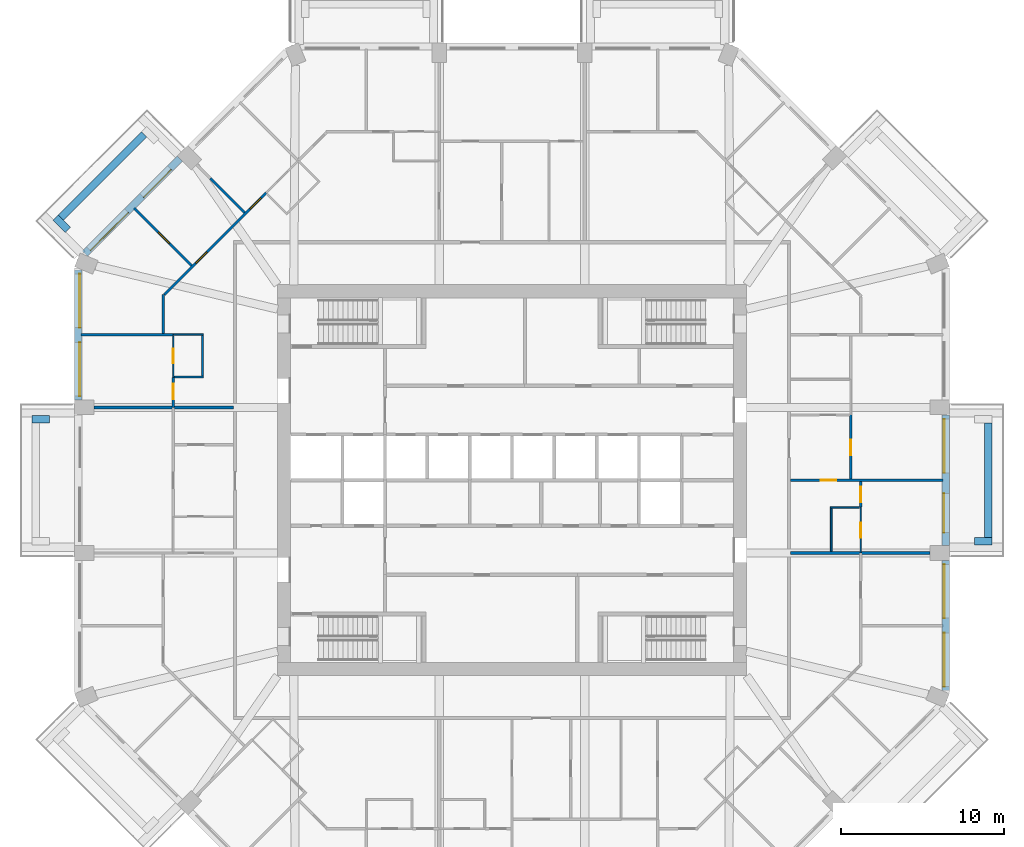
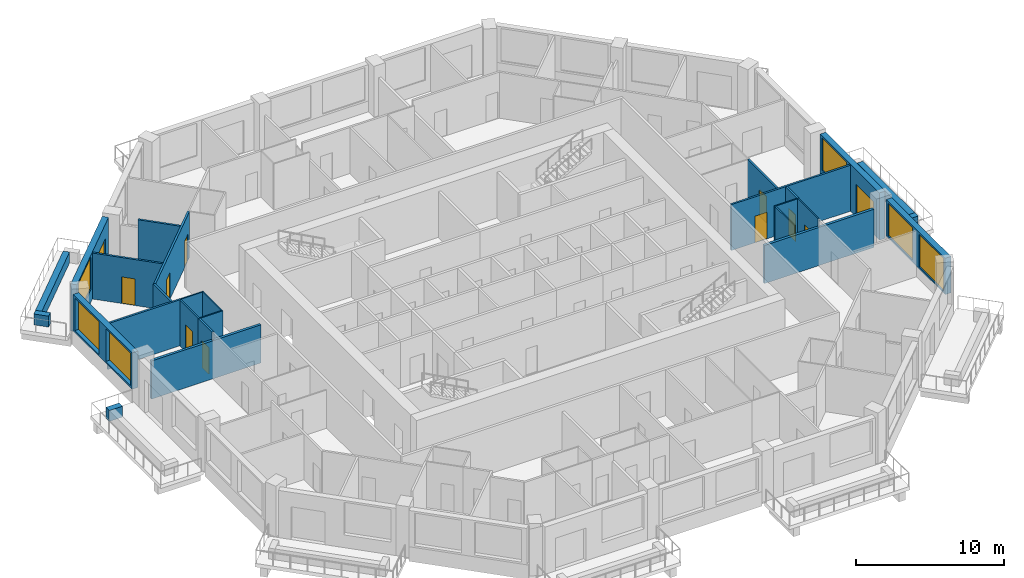
# One storey, part 7 of 13: 27 walls, 11 doors, 6 windows, 17 openings.
"""IFC4 building model written with IfcOpenShell, lengths in metres."""

from ifc_helpers import new_model, si_unit, direction, frame, frame_2d, origin, place, context, subcontext, project, spatial, rectangle, extrude, material, layer, layer_set, type_object, element, fill, save


model = new_model("IFC4")

# Units and contexts
model_context = context("Model", 3, precision=1e-05, world=origin(), true_north=direction((0.0, 1.0)))
body_context = subcontext(model_context, "Body", "Model", "MODEL_VIEW")
ifc_project = project(units=[si_unit("LENGTHUNIT", "METRE"), si_unit("AREAUNIT", "SQUARE_METRE"), si_unit("VOLUMEUNIT", "CUBIC_METRE"), si_unit("PLANEANGLEUNIT", "RADIAN"), si_unit("MASSUNIT", "GRAM", prefix="KILO")], contexts=[model_context])

# Site, building, storey
site_placement = place(None, origin())
site = spatial("IfcSite", under=ifc_project, at=site_placement, CompositionType="ELEMENT")
building_placement = place(site_placement, origin())
building = spatial("IfcBuilding", under=site, at=building_placement, Name="Msitu Wima Residences", CompositionType="ELEMENT")
storey_placement = place(building_placement, frame((0.0, 0.0, 148.5)))
storey = spatial("IfcBuildingStorey", under=building, at=storey_placement, Name="L34", CompositionType="ELEMENT", Elevation=148.5)

# Walls
ifc_material_1 = material(Name="Facing brick")
ifc_layer_1 = layer(ifc_material_1, 0.06494140625, Name="Facing brick")
ifc_material_2 = material(Name="Concrete C40/50", Category="concrete")
ifc_layer_2 = layer(ifc_material_2, 0.156005859375, Name="Concrete C40/50")
ifc_material_3 = material(Name="Waterproofing membrane")
ifc_layer_3 = layer(ifc_material_3, 0.00390625, Name="Waterproofing membrane")
ifc_material_4 = material(Name="Planting soil and planting")
ifc_layer_4 = layer(ifc_material_4, 0.22509765625, Name="Planting soil and planting")
ifc_layer_set_1 = layer_set([ifc_layer_1, ifc_layer_2, ifc_layer_3, ifc_layer_4], Name="Concrete C40/50")
wall_type_1 = type_object("IfcWallType", Name="Balcony planter PLANTER PL450", PredefinedType="USERDEFINED", material=ifc_layer_set_1)
wall_1_placement = place(storey_placement, frame((29.22509765625, -3.5185546875, 0.0), z_axis=(0.0, 0.0, 1.0), x_axis=(0.0, 1.0, 0.0)))
element("IfcWall", 1, at=wall_1_placement, inside=storey, type_object=wall_type_1, Name="Balcony planter E1 L34", ObjectType="PLANTER", PredefinedType="USERDEFINED", context=body_context, shape_type="SweptSolid", body=[
    extrude(rectangle(XDim=7.037109375, YDim=0.449951171875, at=frame_2d((3.5185546875, 0.0))), origin(), (0.0, 0.0, 1.0), 0.89990234375),
])
wall_2_placement = place(storey_placement, frame((28.39990234375, -3.74365234375, 0.0), z_axis=(0.0, 0.0, 1.0), x_axis=(1.0, 0.0, 0.0)))
element("IfcWall", 2, at=wall_2_placement, inside=storey, type_object=wall_type_1, Name="Balcony planter E1 L34", ObjectType="PLANTER", PredefinedType="USERDEFINED", context=body_context, shape_type="SweptSolid", body=[
    extrude(rectangle(XDim=1.050048828125, YDim=0.449951171875, at=frame_2d((0.52490234375, 0.0))), origin(), (0.0, 0.0, 1.0), 0.89990234375),
])
wall_3_placement = place(storey_placement, frame((-22.572265625, 21.228759765625, 0.0), z_axis=(0.0, 0.0, 1.0), x_axis=(-0.707106781187, -0.707106781187, 0.0)))
element("IfcWall", 3, at=wall_3_placement, inside=storey, type_object=wall_type_1, Name="Balcony planter NW1 L34", ObjectType="PLANTER", PredefinedType="USERDEFINED", context=body_context, shape_type="SweptSolid", body=[
    extrude(rectangle(XDim=7.23828125, YDim=0.449951171875, at=frame_2d((3.619140625, 0.0))), origin(), (0.0, 0.0, 1.0), 0.89990234375),
])
for number, where, z_axis, x_axis, name in (
    (4, (-27.26611328125, 15.3681640625, 0.0), (0.0, 0.0, 1.0), (-0.707223014731, 0.706990528533, 0.0), "Balcony planter NW1 L34"),
    (5, (-28.39990234375, 3.74365234375, 0.0), (0.0, 0.0, 1.0), (-1.0, 0.0, 0.0), "Balcony planter W1 L34"),
):
    element("IfcWall", number, at=place(storey_placement, frame(where, z_axis=z_axis, x_axis=x_axis)), inside=storey, type_object=wall_type_1, Name=name, ObjectType="PLANTER", PredefinedType="USERDEFINED", context=body_context, shape_type="SweptSolid", body=[
        extrude(rectangle(XDim=1.050048828125, YDim=0.449951171875, at=frame_2d((0.52490234375, 0.0))), origin(), (0.0, 0.0, 1.0), 0.89990234375),
    ])

# Wall, openings, windows
ifc_material_5 = material(Name="Brick (red buff mix)", Category="masonry")
ifc_layer_5 = layer(ifc_material_5, 0.449951171875)
ifc_layer_set_2 = layer_set([ifc_layer_5], Name="Brick (red buff mix)")
wall_type_2 = type_object("IfcWallType", Name="Brick infill wall BW450", PredefinedType="SOLIDWALL", material=ifc_layer_set_2)
wall_4_placement = place(storey_placement, frame((26.625, -12.918701171875, 0.89990234375), z_axis=(0.0, 0.0, 1.0), x_axis=(0.0, 1.0, 0.0)))
wall_4 = element("IfcWall", 6, at=wall_4_placement, inside=storey, type_object=wall_type_2, Name="Brick infill wall L34 E0", PredefinedType="SOLIDWALL", context=body_context, shape_type="SweptSolid", body=[
    extrude(rectangle(XDim=8.0, YDim=0.449951171875, at=frame_2d((4.0, 0.0))), origin(), (0.0, 0.0, 1.0), 3.0),
])
opening_1_placement = place(wall_4_placement, frame((0.25, 0.0, 0.14990234375)))
opening_1 = element("IfcOpeningElement", 7, at=opening_1_placement, cuts=wall_4, Name="Opening W34-35.001", PredefinedType="OPENING", context=body_context, shape_type="SweptSolid", body=[
    extrude(rectangle(XDim=3.300048828125, YDim=2.699951171875, at=frame_2d((1.64990234375, 1.35009765625))), frame((0.0, 0.23486328125, 0.0), z_axis=(0.0, -1.0, 0.0), x_axis=(1.0, 0.0, 0.0)), (0.0, 0.0, 1.0), 0.469970703125),
])
opening_2_placement = place(wall_4_placement, frame((4.4501953125, 0.0, 0.14990234375)))
opening_2 = element("IfcOpeningElement", 8, at=opening_2_placement, cuts=wall_4, Name="Opening W34-35.002", PredefinedType="OPENING", context=body_context, shape_type="SweptSolid", body=[
    extrude(rectangle(XDim=3.300048828125, YDim=2.699951171875, at=frame_2d((1.64990234375, 1.35009765625))), frame((0.0, 0.23486328125, 0.0), z_axis=(0.0, -1.0, 0.0), x_axis=(1.0, 0.0, 0.0)), (0.0, 0.0, 1.0), 0.469970703125),
])
ifc_material_6 = material(Name="Anodised aluminium, bronze finish, clear low-emissivity double glazing", Category="aluminium")
window_type = type_object("IfcWindowType", Name="Window W3300x2700", PartitioningType="DOUBLE_PANEL_VERTICAL", PredefinedType="WINDOW", material=ifc_material_6)
window_1_placement = place(opening_1_placement, origin())
window_1 = element("IfcWindow", 9, at=window_1_placement, inside=storey, type_object=window_type, Name="Window L34 E0.1", OverallHeight=2.699951171875, OverallWidth=3.300048828125, PartitioningType="SINGLE_PANEL", PredefinedType="WINDOW", context=body_context, shape_type="SweptSolid", body=[
    extrude(rectangle(XDim=3.300048828125, YDim=2.699951171875, at=frame_2d((1.64990234375, 1.35009765625))), frame((0.0, 0.135009765625, 0.0), z_axis=(0.0, -1.0, 0.0), x_axis=(1.0, 0.0, 0.0)), (0.0, 0.0, 1.0), 0.06005859375),
])
fill(opening_1, window_1)
window_2_placement = place(opening_2_placement, origin())
window_2 = element("IfcWindow", 10, at=window_2_placement, inside=storey, type_object=window_type, Name="Window L34 E0.2", OverallHeight=2.699951171875, OverallWidth=3.300048828125, PartitioningType="SINGLE_PANEL", PredefinedType="WINDOW", context=body_context, shape_type="SweptSolid", body=[
    extrude(rectangle(XDim=3.300048828125, YDim=2.699951171875, at=frame_2d((1.64990234375, 1.35009765625))), frame((0.0, 0.135009765625, 0.0), z_axis=(0.0, -1.0, 0.0), x_axis=(1.0, 0.0, 0.0)), (0.0, 0.0, 1.0), 0.06005859375),
])
fill(opening_2, window_2)

# Wall, openings, door, window
wall_5_placement = place(storey_placement, frame((26.625, -4.0185546875, 0.0), z_axis=(0.0, 0.0, 1.0), x_axis=(0.0, 1.0, 0.0)))
wall_5 = element("IfcWall", 11, at=wall_5_placement, inside=storey, type_object=wall_type_2, Name="Brick infill wall L34 E1", PredefinedType="SOLIDWALL", context=body_context, shape_type="SweptSolid", body=[
    extrude(rectangle(XDim=8.037109375, YDim=0.449951171875, at=frame_2d((4.0185546875, 0.0))), origin(), (0.0, 0.0, 1.0), 3.89990234375),
])
opening_3_placement = place(wall_5_placement, frame((0.809326171875, 0.0, 0.0)))
opening_3 = element("IfcOpeningElement", 12, at=opening_3_placement, cuts=wall_5, Name="Opening D34-35.001", PredefinedType="OPENING", context=body_context, shape_type="SweptSolid", body=[
    extrude(rectangle(XDim=2.39990234375, YDim=2.699951171875, at=frame_2d((1.199951171875, 1.35009765625))), frame((0.0, 0.23486328125, 0.0), z_axis=(0.0, -1.0, 0.0), x_axis=(1.0, 0.0, 0.0)), (0.0, 0.0, 1.0), 0.469970703125),
])
opening_4_placement = place(wall_5_placement, frame((4.46875, 0.0, 1.050048828125)))
opening_4 = element("IfcOpeningElement", 13, at=opening_4_placement, cuts=wall_5, Name="Opening W34-35.003", PredefinedType="OPENING", context=body_context, shape_type="SweptSolid", body=[
    extrude(rectangle(XDim=3.300048828125, YDim=2.699951171875, at=frame_2d((1.64990234375, 1.35009765625))), frame((0.0, 0.23486328125, 0.0), z_axis=(0.0, -1.0, 0.0), x_axis=(1.0, 0.0, 0.0)), (0.0, 0.0, 1.0), 0.469970703125),
])
door_type_1 = type_object("IfcDoorType", Name="Balcony door D2400x2700", OperationType="SLIDING_TO_LEFT", PredefinedType="DOOR", material=ifc_material_6)
door_1_placement = place(opening_3_placement, origin())
door_1 = element("IfcDoor", 14, at=door_1_placement, inside=storey, type_object=door_type_1, Name="Balcony door L34 E1", OperationType="SINGLE_SWING_LEFT", OverallHeight=2.699951171875, OverallWidth=2.39990234375, PredefinedType="DOOR", context=body_context, shape_type="SweptSolid", body=[
    extrude(rectangle(XDim=2.39990234375, YDim=2.699951171875, at=frame_2d((1.199951171875, 1.35009765625))), frame((0.0, 0.1298828125, 0.0), z_axis=(0.0, -1.0, 0.0), x_axis=(1.0, 0.0, 0.0)), (0.0, 0.0, 1.0), 0.050048828125),
])
fill(opening_3, door_1)
window_3_placement = place(opening_4_placement, origin())
window_3 = element("IfcWindow", 15, at=window_3_placement, inside=storey, type_object=window_type, Name="Window L34 E1.2", OverallHeight=2.699951171875, OverallWidth=3.300048828125, PartitioningType="SINGLE_PANEL", PredefinedType="WINDOW", context=body_context, shape_type="SweptSolid", body=[
    extrude(rectangle(XDim=3.300048828125, YDim=2.699951171875, at=frame_2d((1.64990234375, 1.35009765625))), frame((0.0, 0.135009765625, 0.0), z_axis=(0.0, -1.0, 0.0), x_axis=(1.0, 0.0, 0.0)), (0.0, 0.0, 1.0), 0.06005859375),
])
fill(opening_4, window_3)

wall_6_placement = place(storey_placement, frame((-20.380126953125, 19.743896484375, 0.0), z_axis=(0.0, 0.0, 1.0), x_axis=(-0.707106781187, -0.707106781187, 0.0)))
wall_6 = element("IfcWall", 16, at=wall_6_placement, inside=storey, type_object=wall_type_2, Name="Brick infill wall L34 NW1", PredefinedType="SOLIDWALL", context=body_context, shape_type="SweptSolid", body=[
    extrude(rectangle(XDim=8.251220703125, YDim=0.449951171875, at=frame_2d((4.12548828125, 0.0))), origin(), (0.0, 0.0, 1.0), 3.89990234375),
])
opening_5_placement = place(wall_6_placement, frame((0.86279296875, 0.0, 0.0)))
opening_5 = element("IfcOpeningElement", 17, at=opening_5_placement, cuts=wall_6, Name="Opening D34-35.005", PredefinedType="OPENING", context=body_context, shape_type="SweptSolid", body=[
    extrude(rectangle(XDim=2.39990234375, YDim=2.699951171875, at=frame_2d((1.199951171875, 1.35009765625))), frame((0.0, 0.23486328125, 0.0), z_axis=(0.0, -1.0, 0.0), x_axis=(1.0, 0.0, 0.0)), (0.0, 0.0, 1.0), 0.469970703125),
])
opening_6_placement = place(wall_6_placement, frame((4.57568359375, 0.0, 1.050048828125)))
opening_6 = element("IfcOpeningElement", 18, at=opening_6_placement, cuts=wall_6, Name="Opening W34-35.015", PredefinedType="OPENING", context=body_context, shape_type="SweptSolid", body=[
    extrude(rectangle(XDim=3.300048828125, YDim=2.699951171875, at=frame_2d((1.64990234375, 1.35009765625))), frame((0.0, 0.23486328125, 0.0), z_axis=(0.0, -1.0, 0.0), x_axis=(1.0, 0.0, 0.0)), (0.0, 0.0, 1.0), 0.469970703125),
])
door_2_placement = place(opening_5_placement, origin())
door_2 = element("IfcDoor", 19, at=door_2_placement, inside=storey, type_object=door_type_1, Name="Balcony door L34 NW1", OperationType="SINGLE_SWING_LEFT", OverallHeight=2.699951171875, OverallWidth=2.39990234375, PredefinedType="DOOR", context=body_context, shape_type="SweptSolid", body=[
    extrude(rectangle(XDim=2.39990234375, YDim=2.699951171875, at=frame_2d((1.199951171875, 1.35009765625))), frame((0.0, 0.1298828125, 0.0), z_axis=(0.0, -1.0, 0.0), x_axis=(1.0, 0.0, 0.0)), (0.0, 0.0, 1.0), 0.050048828125),
])
fill(opening_5, door_2)
window_4_placement = place(opening_6_placement, origin())
window_4 = element("IfcWindow", 20, at=window_4_placement, inside=storey, type_object=window_type, Name="Window L34 NW1.2", OverallHeight=2.699951171875, OverallWidth=3.300048828125, PartitioningType="SINGLE_PANEL", PredefinedType="WINDOW", context=body_context, shape_type="SweptSolid", body=[
    extrude(rectangle(XDim=3.300048828125, YDim=2.699951171875, at=frame_2d((1.64990234375, 1.35009765625))), frame((0.0, 0.135009765625, 0.0), z_axis=(0.0, -1.0, 0.0), x_axis=(1.0, 0.0, 0.0)), (0.0, 0.0, 1.0), 0.06005859375),
])
fill(opening_6, window_4)

# Wall, openings, windows
wall_7_placement = place(storey_placement, frame((-26.625, 12.918701171875, 0.89990234375), z_axis=(0.0, 0.0, 1.0), x_axis=(0.0, -1.0, 0.0)))
wall_7 = element("IfcWall", 21, at=wall_7_placement, inside=storey, type_object=wall_type_2, Name="Brick infill wall L34 W0", PredefinedType="SOLIDWALL", context=body_context, shape_type="SweptSolid", body=[
    extrude(rectangle(XDim=8.0, YDim=0.449951171875, at=frame_2d((4.0, 0.0))), origin(), (0.0, 0.0, 1.0), 3.0),
])
opening_7_placement = place(wall_7_placement, frame((0.25, 0.0, 0.14990234375)))
opening_7 = element("IfcOpeningElement", 22, at=opening_7_placement, cuts=wall_7, Name="Opening W34-35.026", PredefinedType="OPENING", context=body_context, shape_type="SweptSolid", body=[
    extrude(rectangle(XDim=3.300048828125, YDim=2.699951171875, at=frame_2d((1.64990234375, 1.35009765625))), frame((0.0, 0.23486328125, 0.0), z_axis=(0.0, -1.0, 0.0), x_axis=(1.0, 0.0, 0.0)), (0.0, 0.0, 1.0), 0.469970703125),
])
opening_8_placement = place(wall_7_placement, frame((4.4501953125, 0.0, 0.14990234375)))
opening_8 = element("IfcOpeningElement", 23, at=opening_8_placement, cuts=wall_7, Name="Opening W34-35.027", PredefinedType="OPENING", context=body_context, shape_type="SweptSolid", body=[
    extrude(rectangle(XDim=3.300048828125, YDim=2.699951171875, at=frame_2d((1.64990234375, 1.35009765625))), frame((0.0, 0.23486328125, 0.0), z_axis=(0.0, -1.0, 0.0), x_axis=(1.0, 0.0, 0.0)), (0.0, 0.0, 1.0), 0.469970703125),
])
window_5_placement = place(opening_7_placement, origin())
window_5 = element("IfcWindow", 24, at=window_5_placement, inside=storey, type_object=window_type, Name="Window L34 W0.1", OverallHeight=2.699951171875, OverallWidth=3.300048828125, PartitioningType="SINGLE_PANEL", PredefinedType="WINDOW", context=body_context, shape_type="SweptSolid", body=[
    extrude(rectangle(XDim=3.300048828125, YDim=2.699951171875, at=frame_2d((1.64990234375, 1.35009765625))), frame((0.0, 0.135009765625, 0.0), z_axis=(0.0, -1.0, 0.0), x_axis=(1.0, 0.0, 0.0)), (0.0, 0.0, 1.0), 0.06005859375),
])
fill(opening_7, window_5)
window_6_placement = place(opening_8_placement, origin())
window_6 = element("IfcWindow", 25, at=window_6_placement, inside=storey, type_object=window_type, Name="Window L34 W0.2", OverallHeight=2.699951171875, OverallWidth=3.300048828125, PartitioningType="SINGLE_PANEL", PredefinedType="WINDOW", context=body_context, shape_type="SweptSolid", body=[
    extrude(rectangle(XDim=3.300048828125, YDim=2.699951171875, at=frame_2d((1.64990234375, 1.35009765625))), frame((0.0, 0.135009765625, 0.0), z_axis=(0.0, -1.0, 0.0), x_axis=(1.0, 0.0, 0.0)), (0.0, 0.0, 1.0), 0.06005859375),
])
fill(opening_8, window_6)

# Wall
ifc_material_7 = material(Name="Plaster")
ifc_layer_6 = layer(ifc_material_7, 0.011962890625, Name="Plaster")
ifc_material_8 = material(Name="Concrete blockwork", Category="masonry")
ifc_layer_7 = layer(ifc_material_8, 0.1259765625, Name="Concrete blockwork")
ifc_layer_8 = layer(ifc_material_7, 0.011962890625, Name="Plaster")
ifc_layer_set_3 = layer_set([ifc_layer_6, ifc_layer_7, ifc_layer_8], Name="Concrete blockwork")
wall_type_3 = type_object("IfcWallType", Name="Partition PW150", PredefinedType="PARTITIONING", material=ifc_layer_set_3)
wall_8_placement = place(storey_placement, frame((-26.455078125, 8.937255859375, 0.0), z_axis=(0.0, 0.0, 1.0), x_axis=(1.0, 0.0, 0.0)))
element("IfcWall", 26, at=wall_8_placement, inside=storey, type_object=wall_type_3, Name="Partition", PredefinedType="PARTITIONING", context=body_context, shape_type="SweptSolid", body=[
    extrude(rectangle(XDim=5.675048828125, YDim=0.14990234375, at=frame_2d((2.83740234375, 0.0))), origin(), (0.0, 0.0, 1.0), 3.798095703125),
])

# Wall, opening, door
wall_9_placement = place(storey_placement, frame((-23.1904296875, 16.693359375, 0.0), z_axis=(0.0, 0.0, 1.0), x_axis=(0.707106781187, -0.707106781187, 0.0)))
wall_9 = element("IfcWall", 27, at=wall_9_placement, inside=storey, type_object=wall_type_3, Name="Partition", PredefinedType="PARTITIONING", context=body_context, shape_type="SweptSolid", body=[
    extrude(rectangle(XDim=4.980224609375, YDim=0.14990234375, at=frame_2d((2.490234375, 0.0))), origin(), (0.0, 0.0, 1.0), 3.798095703125),
])
opening_9_placement = place(wall_9_placement, frame((2.10009765625, 0.0, 0.0)))
opening_9 = element("IfcOpeningElement", 28, at=opening_9_placement, cuts=wall_9, Name="Opening D34-35.055", PredefinedType="OPENING", context=body_context, shape_type="SweptSolid", body=[
    extrude(rectangle(XDim=0.949951171875, YDim=2.199951171875, at=frame_2d((0.47509765625, 1.10009765625))), frame((0.0, 0.0849609375, 0.0), z_axis=(0.0, -1.0, 0.0), x_axis=(1.0, 0.0, 0.0)), (0.0, 0.0, 1.0), 0.169921875),
])
ifc_material_9 = material(Name="Timber flush door", Category="wood")
door_type_2 = type_object("IfcDoorType", Name="Room door D12 950x2200", OperationType="SINGLE_SWING_LEFT", PredefinedType="DOOR", material=ifc_material_9)
door_3_placement = place(opening_9_placement, origin())
door_3 = element("IfcDoor", 29, at=door_3_placement, inside=storey, type_object=door_type_2, Name="Room door", OperationType="SINGLE_SWING_LEFT", OverallHeight=2.199951171875, OverallWidth=0.949951171875, PredefinedType="DOOR", context=body_context, shape_type="SweptSolid", body=[
    extrude(rectangle(XDim=0.949951171875, YDim=2.199951171875, at=frame_2d((0.47509765625, 1.10009765625))), frame((0.0, 0.02490234375, 0.0), z_axis=(0.0, -1.0, 0.0), x_axis=(1.0, 0.0, 0.0)), (0.0, 0.0, 1.0), 0.050048828125),
])
fill(opening_9, door_3)

# Wall
wall_10_placement = place(storey_placement, frame((-21.39990234375, 9.01220703125, 0.0), z_axis=(0.0, 0.0, 1.0), x_axis=(0.0, 1.0, 0.0)))
element("IfcWall", 30, at=wall_10_placement, inside=storey, type_object=wall_type_3, Name="Partition", PredefinedType="PARTITIONING", context=body_context, shape_type="SweptSolid", body=[
    extrude(rectangle(XDim=2.397705078125, YDim=0.14990234375, at=frame_2d((1.19873046875, 0.0))), origin(), (0.0, 0.0, 1.0), 3.798095703125),
])

# Wall, openings, doors
wall_11_placement = place(storey_placement, frame((-21.346923828125, 11.387939453125, 0.0), z_axis=(0.0, 0.0, 1.0), x_axis=(0.707106781187, 0.707106781187, 0.0)))
wall_11 = element("IfcWall", 31, at=wall_11_placement, inside=storey, type_object=wall_type_3, Name="Partition", PredefinedType="PARTITIONING", context=body_context, shape_type="SweptSolid", body=[
    extrude(rectangle(XDim=8.836181640625, YDim=0.14990234375, at=frame_2d((4.41796875, 0.0))), origin(), (0.0, 0.0, 1.0), 3.798095703125),
])
opening_10_placement = place(wall_11_placement, frame((2.75, 0.0, 0.0)))
opening_10 = element("IfcOpeningElement", 32, at=opening_10_placement, cuts=wall_11, Name="Opening D34-35.045", PredefinedType="OPENING", context=body_context, shape_type="SweptSolid", body=[
    extrude(rectangle(XDim=0.949951171875, YDim=2.199951171875, at=frame_2d((0.47509765625, 1.10009765625))), frame((0.0, 0.0849609375, 0.0), z_axis=(0.0, -1.0, 0.0), x_axis=(1.0, 0.0, 0.0)), (0.0, 0.0, 1.0), 0.169921875),
])
opening_11_placement = place(wall_11_placement, frame((7.449951171875, 0.0, 0.0)))
opening_11 = element("IfcOpeningElement", 33, at=opening_11_placement, cuts=wall_11, Name="Opening D34-35.047", PredefinedType="OPENING", context=body_context, shape_type="SweptSolid", body=[
    extrude(rectangle(XDim=0.949951171875, YDim=2.199951171875, at=frame_2d((0.47509765625, 1.10009765625))), frame((0.0, 0.0849609375, 0.0), z_axis=(0.0, -1.0, 0.0), x_axis=(1.0, 0.0, 0.0)), (0.0, 0.0, 1.0), 0.169921875),
])
door_4_placement = place(opening_10_placement, origin())
door_4 = element("IfcDoor", 34, at=door_4_placement, inside=storey, type_object=door_type_2, Name="Room door", OperationType="SINGLE_SWING_LEFT", OverallHeight=2.199951171875, OverallWidth=0.949951171875, PredefinedType="DOOR", context=body_context, shape_type="SweptSolid", body=[
    extrude(rectangle(XDim=0.949951171875, YDim=2.199951171875, at=frame_2d((0.47509765625, 1.10009765625))), frame((0.0, 0.02490234375, 0.0), z_axis=(0.0, -1.0, 0.0), x_axis=(1.0, 0.0, 0.0)), (0.0, 0.0, 1.0), 0.050048828125),
])
fill(opening_10, door_4)
door_5_placement = place(opening_11_placement, origin())
door_5 = element("IfcDoor", 35, at=door_5_placement, inside=storey, type_object=door_type_2, Name="Room door", OperationType="SINGLE_SWING_LEFT", OverallHeight=2.199951171875, OverallWidth=0.949951171875, PredefinedType="DOOR", context=body_context, shape_type="SweptSolid", body=[
    extrude(rectangle(XDim=0.949951171875, YDim=2.199951171875, at=frame_2d((0.47509765625, 1.10009765625))), frame((0.0, 0.02490234375, 0.0), z_axis=(0.0, -1.0, 0.0), x_axis=(1.0, 0.0, 0.0)), (0.0, 0.0, 1.0), 0.050048828125),
])
fill(opening_11, door_5)

# Wall, opening, door
wall_12_placement = place(storey_placement, frame((-20.800048828125, 4.46875, 0.0), z_axis=(0.0, 0.0, 1.0), x_axis=(0.0, 1.0, 0.0)))
wall_12 = element("IfcWall", 36, at=wall_12_placement, inside=storey, type_object=wall_type_3, Name="Partition", PredefinedType="PARTITIONING", context=body_context, shape_type="SweptSolid", body=[
    extrude(rectangle(XDim=1.848388671875, YDim=0.14990234375, at=frame_2d((0.92431640625, 0.0))), origin(), (0.0, 0.0, 1.0), 3.798095703125),
])
opening_12_placement = place(wall_12_placement, frame((0.5, 0.0, 0.0)))
opening_12 = element("IfcOpeningElement", 37, at=opening_12_placement, cuts=wall_12, Name="Opening D34-35.053", PredefinedType="OPENING", context=body_context, shape_type="SweptSolid", body=[
    extrude(rectangle(XDim=0.949951171875, YDim=2.199951171875, at=frame_2d((0.47509765625, 1.10009765625))), frame((0.0, 0.0849609375, 0.0), z_axis=(0.0, -1.0, 0.0), x_axis=(1.0, 0.0, 0.0)), (0.0, 0.0, 1.0), 0.169921875),
])
door_6_placement = place(opening_12_placement, origin())
door_6 = element("IfcDoor", 38, at=door_6_placement, inside=storey, type_object=door_type_2, Name="Room door", OperationType="SINGLE_SWING_LEFT", OverallHeight=2.199951171875, OverallWidth=0.949951171875, PredefinedType="DOOR", context=body_context, shape_type="SweptSolid", body=[
    extrude(rectangle(XDim=0.949951171875, YDim=2.199951171875, at=frame_2d((0.47509765625, 1.10009765625))), frame((0.0, 0.02490234375, 0.0), z_axis=(0.0, -1.0, 0.0), x_axis=(1.0, 0.0, 0.0)), (0.0, 0.0, 1.0), 0.050048828125),
])
fill(opening_12, door_6)

# Wall
wall_13_placement = place(storey_placement, frame((-18.517578125, 18.517578125, 0.0), z_axis=(0.0, 0.0, 1.0), x_axis=(0.707106781187, -0.707106781187, 0.0)))
element("IfcWall", 39, at=wall_13_placement, inside=storey, type_object=wall_type_3, Name="Partition", PredefinedType="PARTITIONING", context=body_context, shape_type="SweptSolid", body=[
    extrude(rectangle(XDim=2.9658203125, YDim=0.14990234375, at=frame_2d((1.48291015625, 0.0))), origin(), (0.0, 0.0, 1.0), 3.798095703125),
])

# Wall, opening, door
wall_14_placement = place(storey_placement, frame((17.10009765625, 0.0, 0.0), z_axis=(0.0, 0.0, 1.0), x_axis=(1.0, 0.0, 0.0)))
wall_14 = element("IfcWall", 40, at=wall_14_placement, inside=storey, type_object=wall_type_3, Name="Partition", PredefinedType="PARTITIONING", context=body_context, shape_type="SweptSolid", body=[
    extrude(rectangle(XDim=9.35498046875, YDim=0.14990234375, at=frame_2d((4.677490234375, 0.0))), origin(), (0.0, 0.0, 1.0), 3.798095703125),
])
opening_13_placement = place(wall_14_placement, frame((1.85009765625, 0.0, 0.0)))
opening_13 = element("IfcOpeningElement", 41, at=opening_13_placement, cuts=wall_14, Name="Opening D34-35.050", PredefinedType="OPENING", context=body_context, shape_type="SweptSolid", body=[
    extrude(rectangle(XDim=0.949951171875, YDim=2.199951171875, at=frame_2d((0.47509765625, 1.10009765625))), frame((0.0, 0.0849609375, 0.0), z_axis=(0.0, -1.0, 0.0), x_axis=(1.0, 0.0, 0.0)), (0.0, 0.0, 1.0), 0.169921875),
])
door_7_placement = place(opening_13_placement, origin())
door_7 = element("IfcDoor", 42, at=door_7_placement, inside=storey, type_object=door_type_2, Name="Room door", OperationType="SINGLE_SWING_RIGHT", OverallHeight=2.199951171875, OverallWidth=0.949951171875, PredefinedType="DOOR", context=body_context, shape_type="SweptSolid", body=[
    extrude(rectangle(XDim=0.949951171875, YDim=2.199951171875, at=frame_2d((0.47509765625, 1.10009765625))), frame((0.0, 0.02490234375, 0.0), z_axis=(0.0, -1.0, 0.0), x_axis=(1.0, 0.0, 0.0)), (0.0, 0.0, 1.0), 0.050048828125),
])
fill(opening_13, door_7)

wall_15_placement = place(storey_placement, frame((20.800048828125, 0.074951171875, 0.0), z_axis=(0.0, 0.0, 1.0), x_axis=(0.0, 1.0, 0.0)))
wall_15 = element("IfcWall", 43, at=wall_15_placement, inside=storey, type_object=wall_type_3, Name="Partition", PredefinedType="PARTITIONING", context=body_context, shape_type="SweptSolid", body=[
    extrude(rectangle(XDim=3.945068359375, YDim=0.14990234375, at=frame_2d((1.97265625, 0.0))), origin(), (0.0, 0.0, 1.0), 3.798095703125),
])
opening_14_placement = place(wall_15_placement, frame((1.449951171875, 0.0, 0.0)))
opening_14 = element("IfcOpeningElement", 44, at=opening_14_placement, cuts=wall_15, Name="Opening D34-35.039", PredefinedType="OPENING", context=body_context, shape_type="SweptSolid", body=[
    extrude(rectangle(XDim=0.949951171875, YDim=2.199951171875, at=frame_2d((0.47509765625, 1.10009765625))), frame((0.0, 0.0849609375, 0.0), z_axis=(0.0, -1.0, 0.0), x_axis=(1.0, 0.0, 0.0)), (0.0, 0.0, 1.0), 0.169921875),
])
door_8_placement = place(opening_14_placement, origin())
door_8 = element("IfcDoor", 45, at=door_8_placement, inside=storey, type_object=door_type_2, Name="Room door", OperationType="SINGLE_SWING_RIGHT", OverallHeight=2.199951171875, OverallWidth=0.949951171875, PredefinedType="DOOR", context=body_context, shape_type="SweptSolid", body=[
    extrude(rectangle(XDim=0.949951171875, YDim=2.199951171875, at=frame_2d((0.47509765625, 1.10009765625))), frame((0.0, 0.02490234375, 0.0), z_axis=(0.0, -1.0, 0.0), x_axis=(1.0, 0.0, 0.0)), (0.0, 0.0, 1.0), 0.050048828125),
])
fill(opening_14, door_8)

wall_16_placement = place(storey_placement, frame((21.39990234375, -1.648681640625, 0.0), z_axis=(0.0, 0.0, 1.0), x_axis=(0.0, 1.0, 0.0)))
wall_16 = element("IfcWall", 46, at=wall_16_placement, inside=storey, type_object=wall_type_3, Name="Partition", PredefinedType="PARTITIONING", context=body_context, shape_type="SweptSolid", body=[
    extrude(rectangle(XDim=1.57373046875, YDim=0.14990234375, at=frame_2d((0.786865234375, 0.0))), origin(), (0.0, 0.0, 1.0), 3.798095703125),
])
opening_15_placement = place(wall_16_placement, frame((0.300048828125, 0.0, 0.0)))
opening_15 = element("IfcOpeningElement", 47, at=opening_15_placement, cuts=wall_16, Name="Opening D34-35.072", PredefinedType="OPENING", context=body_context, shape_type="SweptSolid", body=[
    extrude(rectangle(XDim=0.949951171875, YDim=2.199951171875, at=frame_2d((0.47509765625, 1.10009765625))), frame((0.0, 0.0849609375, 0.0), z_axis=(0.0, -1.0, 0.0), x_axis=(1.0, 0.0, 0.0)), (0.0, 0.0, 1.0), 0.169921875),
])
door_9_placement = place(opening_15_placement, origin())
door_9 = element("IfcDoor", 48, at=door_9_placement, inside=storey, type_object=door_type_2, Name="Room door", OperationType="SINGLE_SWING_LEFT", OverallHeight=2.199951171875, OverallWidth=0.949951171875, PredefinedType="DOOR", context=body_context, shape_type="SweptSolid", body=[
    extrude(rectangle(XDim=0.949951171875, YDim=2.199951171875, at=frame_2d((0.47509765625, 1.10009765625))), frame((0.0, 0.02490234375, 0.0), z_axis=(0.0, -1.0, 0.0), x_axis=(1.0, 0.0, 0.0)), (0.0, 0.0, 1.0), 0.050048828125),
])
fill(opening_15, door_9)

# Walls
ifc_layer_9 = layer(ifc_material_7, 0.011962890625, Name="Plaster")
ifc_material_10 = material(Name="Dense concrete blockwork", Category="masonry")
ifc_layer_10 = layer(ifc_material_10, 0.176025390625, Name="Dense concrete blockwork")
ifc_layer_11 = layer(ifc_material_7, 0.011962890625, Name="Plaster")
ifc_layer_set_4 = layer_set([ifc_layer_9, ifc_layer_10, ifc_layer_11], Name="Dense concrete blockwork")
wall_type_4 = type_object("IfcWallType", Name="Party wall PW200", PredefinedType="PARTITIONING", material=ifc_layer_set_4)
for number, where, z_axis, x_axis, name in (
    (49, (-25.64990234375, 4.46875, 0.0), (0.0, 0.0, 1.0), (1.0, 0.0, 0.0), "Party wall"),
    (50, (17.10009765625, -4.46875, 0.0), (0.0, 0.0, 1.0), (1.0, 0.0, 0.0), "Party wall"),
):
    element("IfcWall", number, at=place(storey_placement, frame(where, z_axis=z_axis, x_axis=x_axis)), inside=storey, type_object=wall_type_4, Name=name, PredefinedType="PARTITIONING", context=body_context, shape_type="SweptSolid", body=[
        extrude(rectangle(XDim=8.5498046875, YDim=0.199951171875, at=frame_2d((4.27490234375, 0.0))), origin(), (0.0, 0.0, 1.0), 3.14990234375),
    ])
ifc_material_11 = material(Name="Ceramic tiles")
ifc_layer_12 = layer(ifc_material_11, 0.008056640625, Name="Ceramic tiles")
ifc_material_12 = material(Name="Moisture-resistant board")
ifc_layer_13 = layer(ifc_material_12, 0.012451171875, Name="Moisture-resistant board")
ifc_material_13 = material(Name="Light-gauge stud framing with mineral wool")
ifc_layer_14 = layer(ifc_material_13, 0.06689453125, Name="Light-gauge stud framing with mineral wool")
ifc_layer_15 = layer(ifc_material_12, 0.012451171875, Name="Moisture-resistant board")
ifc_layer_set_5 = layer_set([ifc_layer_12, ifc_layer_13, ifc_layer_14, ifc_layer_15], Name="Light-gauge stud framing with mineral wool")
wall_type_5 = type_object("IfcWallType", Name="Wet wall PW100", PredefinedType="PARTITIONING", material=ifc_layer_set_5)
wall_17_placement = place(storey_placement, frame((-20.780029296875, 8.937255859375, 0.0), z_axis=(0.0, 0.0, 1.0), x_axis=(1.0, 0.0, 0.0)))
element("IfcWall", 51, at=wall_17_placement, inside=storey, type_object=wall_type_5, Name="Wet wall", PredefinedType="PARTITIONING", context=body_context, shape_type="SweptSolid", body=[
    extrude(rectangle(XDim=1.830078125, YDim=0.10009765625, at=frame_2d((0.9150390625, 0.0))), origin(), (0.0, 0.0, 1.0), 3.798095703125),
])

# Wall, opening, door
wall_18_placement = place(storey_placement, frame((-20.800048828125, 6.317138671875, 0.0), z_axis=(0.0, 0.0, 1.0), x_axis=(0.0, 1.0, 0.0)))
wall_18 = element("IfcWall", 52, at=wall_18_placement, inside=storey, type_object=wall_type_5, Name="Wet wall", PredefinedType="PARTITIONING", context=body_context, shape_type="SweptSolid", body=[
    extrude(rectangle(XDim=2.545166015625, YDim=0.10009765625, at=frame_2d((1.2724609375, 0.0))), origin(), (0.0, 0.0, 1.0), 3.798095703125),
])
opening_16_placement = place(wall_18_placement, frame((0.85009765625, 0.0, 0.0)))
opening_16 = element("IfcOpeningElement", 53, at=opening_16_placement, cuts=wall_18, Name="Opening D34-35.054", PredefinedType="OPENING", context=body_context, shape_type="SweptSolid", body=[
    extrude(rectangle(XDim=0.89990234375, YDim=2.199951171875, at=frame_2d((0.449951171875, 1.10009765625))), frame((0.0, 0.06005859375, 0.0), z_axis=(0.0, -1.0, 0.0), x_axis=(1.0, 0.0, 0.0)), (0.0, 0.0, 1.0), 0.1201171875),
])
ifc_material_14 = material(Name="Timber flush door, moisture resistant", Category="wood")
door_type_3 = type_object("IfcDoorType", Name="Bathroom door D03 900x2200", OperationType="SINGLE_SWING_LEFT", PredefinedType="DOOR", material=ifc_material_14)
door_10_placement = place(opening_16_placement, origin())
door_10 = element("IfcDoor", 54, at=door_10_placement, inside=storey, type_object=door_type_3, Name="Bathroom door", OperationType="SINGLE_SWING_RIGHT", OverallHeight=2.199951171875, OverallWidth=0.89990234375, PredefinedType="DOOR", context=body_context, shape_type="SweptSolid", body=[
    extrude(rectangle(XDim=0.89990234375, YDim=2.199951171875, at=frame_2d((0.449951171875, 1.10009765625))), frame((0.0, 0.02490234375, 0.0), z_axis=(0.0, -1.0, 0.0), x_axis=(1.0, 0.0, 0.0)), (0.0, 0.0, 1.0), 0.050048828125),
])
fill(opening_16, door_10)

# Walls
wall_19_placement = place(storey_placement, frame((-20.72509765625, 6.337158203125, 0.0), z_axis=(0.0, 0.0, 1.0), x_axis=(1.0, 0.0, 0.0)))
element("IfcWall", 55, at=wall_19_placement, inside=storey, type_object=wall_type_5, Name="Wet wall", PredefinedType="PARTITIONING", context=body_context, shape_type="SweptSolid", body=[
    extrude(rectangle(XDim=1.775146484375, YDim=0.10009765625, at=frame_2d((0.8876953125, 0.0))), origin(), (0.0, 0.0, 1.0), 3.798095703125),
])
wall_20_placement = place(storey_placement, frame((-19.0, 6.38720703125, 0.0), z_axis=(0.0, 0.0, 1.0), x_axis=(0.0, 1.0, 0.0)))
element("IfcWall", 56, at=wall_20_placement, inside=storey, type_object=wall_type_5, Name="Wet wall", PredefinedType="PARTITIONING", context=body_context, shape_type="SweptSolid", body=[
    extrude(rectangle(XDim=2.5, YDim=0.10009765625, at=frame_2d((1.25, 0.0))), origin(), (0.0, 0.0, 1.0), 3.798095703125),
])
wall_21_placement = place(storey_placement, frame((19.60009765625, -4.36865234375, 0.0), z_axis=(0.0, 0.0, 1.0), x_axis=(0.0, 1.0, 0.0)))
element("IfcWall", 57, at=wall_21_placement, inside=storey, type_object=wall_type_5, Name="Wet wall", PredefinedType="PARTITIONING", context=body_context, shape_type="SweptSolid", body=[
    extrude(rectangle(XDim=2.64990234375, YDim=0.10009765625, at=frame_2d((1.324951171875, 0.0))), origin(), (0.0, 0.0, 1.0), 3.798095703125),
])
wall_22_placement = place(storey_placement, frame((19.550048828125, -1.668701171875, 0.0), z_axis=(0.0, 0.0, 1.0), x_axis=(1.0, 0.0, 0.0)))
element("IfcWall", 58, at=wall_22_placement, inside=storey, type_object=wall_type_5, Name="Wet wall", PredefinedType="PARTITIONING", context=body_context, shape_type="SweptSolid", body=[
    extrude(rectangle(XDim=1.77490234375, YDim=0.10009765625, at=frame_2d((0.887451171875, 0.0))), origin(), (0.0, 0.0, 1.0), 3.798095703125),
])

# Wall, opening, door
wall_23_placement = place(storey_placement, frame((21.39990234375, -4.46875, 0.0), z_axis=(0.0, 0.0, 1.0), x_axis=(0.0, 1.0, 0.0)))
wall_23 = element("IfcWall", 59, at=wall_23_placement, inside=storey, type_object=wall_type_5, Name="Wet wall", PredefinedType="PARTITIONING", context=body_context, shape_type="SweptSolid", body=[
    extrude(rectangle(XDim=2.820068359375, YDim=0.10009765625, at=frame_2d((1.41015625, 0.0))), origin(), (0.0, 0.0, 1.0), 3.798095703125),
])
opening_17_placement = place(wall_23_placement, frame((0.949951171875, 0.0, 0.0)))
opening_17 = element("IfcOpeningElement", 60, at=opening_17_placement, cuts=wall_23, Name="Opening D34-35.083", PredefinedType="OPENING", context=body_context, shape_type="SweptSolid", body=[
    extrude(rectangle(XDim=0.89990234375, YDim=2.199951171875, at=frame_2d((0.449951171875, 1.10009765625))), frame((0.0, 0.06005859375, 0.0), z_axis=(0.0, -1.0, 0.0), x_axis=(1.0, 0.0, 0.0)), (0.0, 0.0, 1.0), 0.1201171875),
])
door_11_placement = place(opening_17_placement, origin())
door_11 = element("IfcDoor", 61, at=door_11_placement, inside=storey, type_object=door_type_3, Name="Bathroom door", OperationType="SINGLE_SWING_LEFT", OverallHeight=2.199951171875, OverallWidth=0.89990234375, PredefinedType="DOOR", context=body_context, shape_type="SweptSolid", body=[
    extrude(rectangle(XDim=0.89990234375, YDim=2.199951171875, at=frame_2d((0.449951171875, 1.10009765625))), frame((0.0, 0.02490234375, 0.0), z_axis=(0.0, -1.0, 0.0), x_axis=(1.0, 0.0, 0.0)), (0.0, 0.0, 1.0), 0.050048828125),
])
fill(opening_17, door_11)

save(model, "model.ifc")
